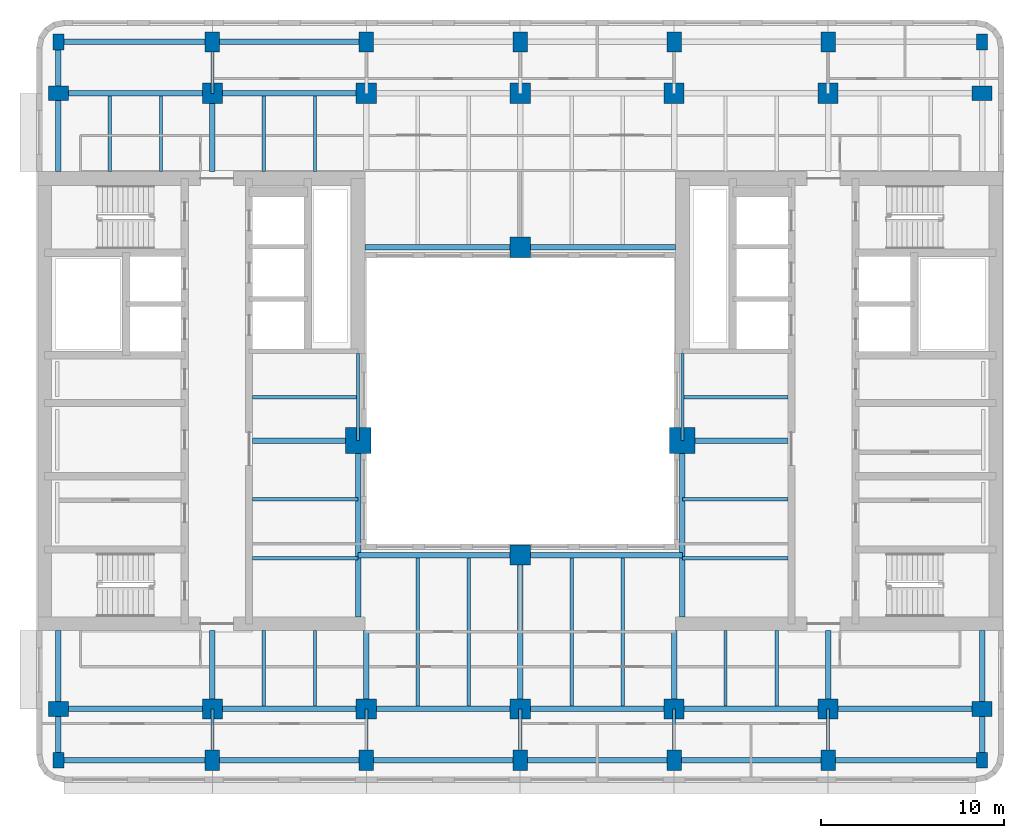
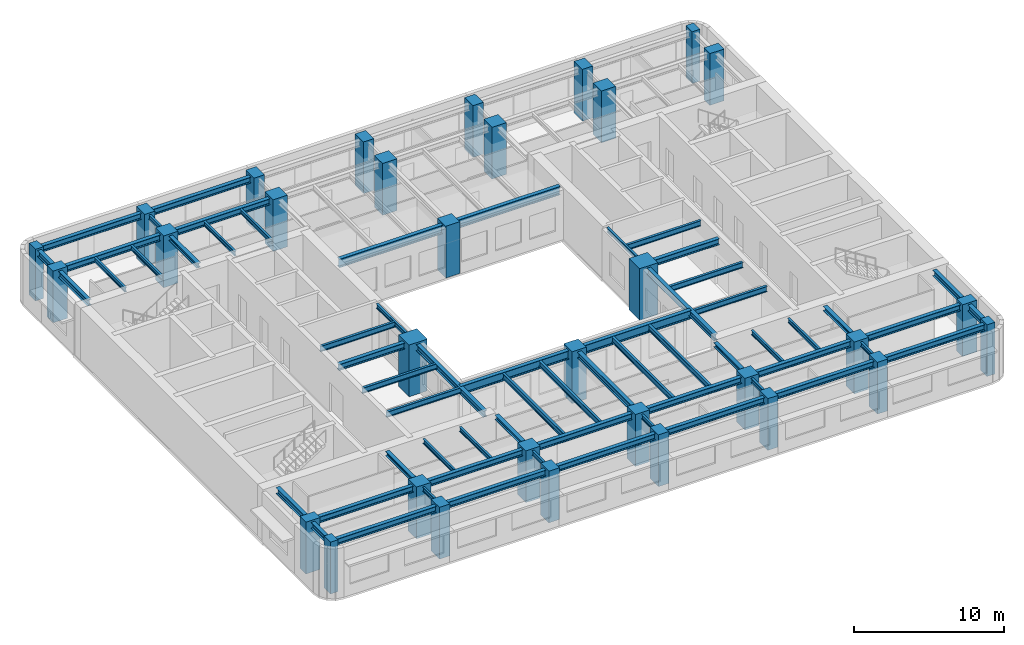
# One storey, part 1 of 11: 62 beams, 32 columns.
"""IFC4 building model written with IfcOpenShell, lengths in metres."""

from ifc_helpers import new_model, si_unit, direction, frame, origin, origin_2d, place, context, subcontext, project, spatial, rectangle, i_section, extrude, material, material_profile, profile_set, type_object, element, save


model = new_model("IFC4")

# Units and contexts
model_context = context("Model", 3, precision=1e-05, world=origin(), true_north=direction((0.0, 1.0)))
body_context = subcontext(model_context, "Body", "Model", "MODEL_VIEW")
ifc_project = project(units=[si_unit("LENGTHUNIT", "METRE"), si_unit("AREAUNIT", "SQUARE_METRE"), si_unit("VOLUMEUNIT", "CUBIC_METRE"), si_unit("PLANEANGLEUNIT", "RADIAN"), si_unit("MASSUNIT", "GRAM", prefix="KILO")], contexts=[model_context])

# Site, building, storey
site_placement = place(None, origin())
site = spatial("IfcSite", under=ifc_project, at=site_placement, CompositionType="ELEMENT")
building_placement = place(site_placement, origin())
building = spatial("IfcBuilding", under=site, at=building_placement, Name="Claustro Exchange Tower", CompositionType="ELEMENT")
storey_placement = place(building_placement, frame((0.0, 0.0, 228.0)))
storey = spatial("IfcBuildingStorey", under=building, at=storey_placement, Name="L52", CompositionType="ELEMENT", Elevation=228.0)

# Columns
ifc_material_1 = material(Name="Concrete HA-70 (C70/85)", Category="concrete")
ifc_material_profile_1 = material_profile(ifc_material_1, rectangle(XDim=1.39990234375, YDim=1.39990234375, at=origin_2d()), Name="RC 1400x1400")
ifc_profile_set_1 = profile_set([ifc_material_profile_1], Name="Concrete HA-70 (C70/85)")
column_type_1 = type_object("IfcColumnType", Name="C0 RC 1400x1400 HA-70 column", PredefinedType="COLUMN", material=ifc_profile_set_1)
for number, where, z_axis, x_axis, name in (
    (1, (16.35009765625, 23.050048828125, 0.0), (0.0, 0.0, 1.0), (1.0, 0.0, 0.0), "Column C0 2+7950/C+6250 L52"),
    (2, (34.050048828125, 23.050048828125, 0.0), (0.0, 0.0, 1.0), (1.0, 0.0, 0.0), "Column C0 5+450/C+6250 L52"),
):
    element("IfcColumn", number, at=place(storey_placement, frame(where, z_axis=z_axis, x_axis=x_axis)), inside=storey, type_object=column_type_1, Name=name, PredefinedType="COLUMN", context=body_context, shape_type="SweptSolid", body=[
        extrude(rectangle(XDim=1.39990234375, YDim=1.39990234375, at=origin_2d()), origin(), (0.0, 0.0, 1.0), 4.199951171875),
    ])
ifc_material_2 = material(Name="Concrete HA-70 (C70/85)", Category="concrete")
ifc_material_profile_2 = material_profile(ifc_material_2, rectangle(XDim=1.10009765625, YDim=1.10009765625, at=origin_2d()), Name="RC 1100x1100")
ifc_profile_set_2 = profile_set([ifc_material_profile_2], Name="Concrete HA-70 (C70/85)")
column_type_2 = type_object("IfcColumnType", Name="C17 RC 1100x1100 HA-70 column", PredefinedType="COLUMN", material=ifc_profile_set_2)
for number, where, z_axis, x_axis, name in (
    (3, (8.39990234375, 8.39990234375, 0.0), (0.0, 0.0, 1.0), (1.0, 0.0, 0.0), "Column C17 2/B L52"),
    (4, (8.39990234375, 42.0, 0.0), (0.0, 0.0, 1.0), (1.0, 0.0, 0.0), "Column C17 2/F L52"),
    (5, (16.800048828125, 8.39990234375, 0.0), (0.0, 0.0, 1.0), (1.0, 0.0, 0.0), "Column C17 3/B L52"),
    (6, (16.800048828125, 42.0, 0.0), (0.0, 0.0, 1.0), (1.0, 0.0, 0.0), "Column C17 3/F L52"),
    (7, (25.199951171875, 8.39990234375, 0.0), (0.0, 0.0, 1.0), (1.0, 0.0, 0.0), "Column C17 4/B L52"),
    (8, (25.199951171875, 42.0, 0.0), (0.0, 0.0, 1.0), (1.0, 0.0, 0.0), "Column C17 4/F L52"),
    (9, (25.199951171875, 16.800048828125, 0.0), (0.0, 0.0, 1.0), (1.0, 0.0, 0.0), "Column C17 4/C L52"),
    (10, (25.199951171875, 33.60009765625, 0.0), (0.0, 0.0, 1.0), (1.0, 0.0, 0.0), "Column C17 4/E L52"),
    (11, (33.60009765625, 8.39990234375, 0.0), (0.0, 0.0, 1.0), (1.0, 0.0, 0.0), "Column C17 5/B L52"),
    (12, (33.60009765625, 42.0, 0.0), (0.0, 0.0, 1.0), (1.0, 0.0, 0.0), "Column C17 5/F L52"),
    (13, (42.0, 8.39990234375, 0.0), (0.0, 0.0, 1.0), (1.0, 0.0, 0.0), "Column C17 6/B L52"),
    (14, (42.0, 42.0, 0.0), (0.0, 0.0, 1.0), (1.0, 0.0, 0.0), "Column C17 6/F L52"),
):
    element("IfcColumn", number, at=place(storey_placement, frame(where, z_axis=z_axis, x_axis=x_axis)), inside=storey, type_object=column_type_2, Name=name, PredefinedType="COLUMN", context=body_context, shape_type="SweptSolid", body=[
        extrude(rectangle(XDim=1.10009765625, YDim=1.10009765625, at=origin_2d()), origin(), (0.0, 0.0, 1.0), 4.199951171875),
    ])
ifc_material_3 = material(Name="Concrete HA-50 (C50/60)", Category="concrete")
ifc_material_profile_3 = material_profile(ifc_material_3, rectangle(XDim=0.800048828125, YDim=1.10009765625, at=origin_2d()), Name="RC 800x1100")
ifc_profile_set_3 = profile_set([ifc_material_profile_3], Name="Concrete HA-50 (C50/60)")
column_type_3 = type_object("IfcColumnType", Name="C23 RC 800x1100 HA-50 perimeter column", PredefinedType="COLUMN", material=ifc_profile_set_3)
for number, where, z_axis, x_axis, name in (
    (15, (0.0, 8.39990234375, 0.0), (0.0, 0.0, 1.0), (0.0, 1.0, 0.0), "Column C23 1/B L52"),
    (16, (0.0, 42.0, 0.0), (0.0, 0.0, 1.0), (0.0, 1.0, 0.0), "Column C23 1/F L52"),
    (17, (8.39990234375, 5.60009765625, 0.0), (0.0, 0.0, 1.0), (1.0, 0.0, 0.0), "Column C23 2/A+5600 L52"),
    (18, (8.39990234375, 44.800048828125, 0.0), (0.0, 0.0, 1.0), (1.0, 0.0, 0.0), "Column C23 2/F+2800 L52"),
    (19, (16.800048828125, 5.60009765625, 0.0), (0.0, 0.0, 1.0), (1.0, 0.0, 0.0), "Column C23 3/A+5600 L52"),
    (20, (16.800048828125, 44.800048828125, 0.0), (0.0, 0.0, 1.0), (1.0, 0.0, 0.0), "Column C23 3/F+2800 L52"),
    (21, (25.199951171875, 5.60009765625, 0.0), (0.0, 0.0, 1.0), (1.0, 0.0, 0.0), "Column C23 4/A+5600 L52"),
    (22, (25.199951171875, 44.800048828125, 0.0), (0.0, 0.0, 1.0), (1.0, 0.0, 0.0), "Column C23 4/F+2800 L52"),
    (23, (33.60009765625, 5.60009765625, 0.0), (0.0, 0.0, 1.0), (1.0, 0.0, 0.0), "Column C23 5/A+5600 L52"),
    (24, (33.60009765625, 44.800048828125, 0.0), (0.0, 0.0, 1.0), (1.0, 0.0, 0.0), "Column C23 5/F+2800 L52"),
    (25, (42.0, 5.60009765625, 0.0), (0.0, 0.0, 1.0), (1.0, 0.0, 0.0), "Column C23 6/A+5600 L52"),
    (26, (42.0, 44.800048828125, 0.0), (0.0, 0.0, 1.0), (1.0, 0.0, 0.0), "Column C23 6/F+2800 L52"),
    (27, (50.39990234375, 8.39990234375, 0.0), (0.0, 0.0, 1.0), (0.0, 1.0, 0.0), "Column C23 7/B L52"),
    (28, (50.39990234375, 42.0, 0.0), (0.0, 0.0, 1.0), (0.0, 1.0, 0.0), "Column C23 7/F L52"),
):
    element("IfcColumn", number, at=place(storey_placement, frame(where, z_axis=z_axis, x_axis=x_axis)), inside=storey, type_object=column_type_3, Name=name, PredefinedType="COLUMN", context=body_context, shape_type="SweptSolid", body=[
        extrude(rectangle(XDim=0.800048828125, YDim=1.10009765625, at=origin_2d()), origin(), (0.0, 0.0, 1.0), 4.199951171875),
    ])
ifc_material_4 = material(Name="Concrete HA-50 (C50/60)", Category="concrete")
ifc_material_profile_4 = material_profile(ifc_material_4, rectangle(XDim=0.60009765625, YDim=0.85009765625, at=origin_2d()), Name="RC 600x850")
ifc_profile_set_4 = profile_set([ifc_material_profile_4], Name="Concrete HA-50 (C50/60)")
column_type_4 = type_object("IfcColumnType", Name="C25 RC 600x850 HA-50 corner column", PredefinedType="COLUMN", material=ifc_profile_set_4)
for number, where, z_axis, x_axis, name in (
    (29, (0.0, 5.60009765625, 0.0), (0.0, 0.0, 1.0), (1.0, 0.0, 0.0), "Column C25 1/A+5600 L52"),
    (30, (0.0, 44.800048828125, 0.0), (0.0, 0.0, 1.0), (1.0, 0.0, 0.0), "Column C25 1/F+2800 L52"),
    (31, (50.39990234375, 5.60009765625, 0.0), (0.0, 0.0, 1.0), (1.0, 0.0, 0.0), "Column C25 7/A+5600 L52"),
    (32, (50.39990234375, 44.800048828125, 0.0), (0.0, 0.0, 1.0), (1.0, 0.0, 0.0), "Column C25 7/F+2800 L52"),
):
    element("IfcColumn", number, at=place(storey_placement, frame(where, z_axis=z_axis, x_axis=x_axis)), inside=storey, type_object=column_type_4, Name=name, PredefinedType="COLUMN", context=body_context, shape_type="SweptSolid", body=[
        extrude(rectangle(XDim=0.60009765625, YDim=0.85009765625, at=origin_2d()), origin(), (0.0, 0.0, 1.0), 4.199951171875),
    ])

# Beams
ifc_material_5 = material(Name="Steel S355", Category="steel")
ifc_material_profile_5 = material_profile(ifc_material_5, i_section(OverallWidth=0.300048828125, OverallDepth=0.68994140625, WebThickness=0.014404296875, FlangeThickness=0.027099609375, FilletRadius=0.027099609375, at=origin_2d()), Name="HE 700 A")
ifc_profile_set_5 = profile_set([ifc_material_profile_5], Name="Steel S355")
beam_type_1 = type_object("IfcBeamType", Name="B13 HE 700 A light well edge girder", PredefinedType="BEAM", material=ifc_profile_set_5)
beam_1_placement = place(storey_placement, frame((16.35009765625, 16.800048828125, 3.705078125), z_axis=(1.0, 0.0, 0.0), x_axis=(0.0, 1.0, 0.0)))
element("IfcBeam", 33, at=beam_1_placement, inside=storey, type_object=beam_type_1, Name="Beam B13 L53", PredefinedType="BEAM", context=body_context, shape_type="SweptSolid", body=[
    extrude(i_section(OverallWidth=0.300048828125, OverallDepth=0.68994140625, WebThickness=0.014404296875, FlangeThickness=0.027099609375, FilletRadius=0.027099609375, at=origin_2d()), origin(), (0.0, 0.0, 1.0), 8.849853515625),
])
beam_2_placement = place(storey_placement, frame((25.199951171875, 16.800048828125, 3.705078125), z_axis=(1.0, 0.0, 0.0), x_axis=(0.0, 1.0, 0.0)))
element("IfcBeam", 34, at=beam_2_placement, inside=storey, type_object=beam_type_1, Name="Beam B13 L53", PredefinedType="BEAM", context=body_context, shape_type="SweptSolid", body=[
    extrude(i_section(OverallWidth=0.300048828125, OverallDepth=0.68994140625, WebThickness=0.014404296875, FlangeThickness=0.027099609375, FilletRadius=0.027099609375, at=origin_2d()), origin(), (0.0, 0.0, 1.0), 8.85009765625),
])
beam_3_placement = place(storey_placement, frame((16.72509765625, 33.60009765625, 3.705078125), z_axis=(1.0, 0.0, 0.0), x_axis=(0.0, 1.0, 0.0)))
element("IfcBeam", 35, at=beam_3_placement, inside=storey, type_object=beam_type_1, Name="Beam B13 L53", PredefinedType="BEAM", context=body_context, shape_type="SweptSolid", body=[
    extrude(i_section(OverallWidth=0.300048828125, OverallDepth=0.68994140625, WebThickness=0.014404296875, FlangeThickness=0.027099609375, FilletRadius=0.027099609375, at=origin_2d()), origin(), (0.0, 0.0, 1.0), 8.474853515625),
])
beam_4_placement = place(storey_placement, frame((25.199951171875, 33.60009765625, 3.705078125), z_axis=(1.0, 0.0, 0.0), x_axis=(0.0, 1.0, 0.0)))
element("IfcBeam", 36, at=beam_4_placement, inside=storey, type_object=beam_type_1, Name="Beam B13 L53", PredefinedType="BEAM", context=body_context, shape_type="SweptSolid", body=[
    extrude(i_section(OverallWidth=0.300048828125, OverallDepth=0.68994140625, WebThickness=0.014404296875, FlangeThickness=0.027099609375, FilletRadius=0.027099609375, at=origin_2d()), origin(), (0.0, 0.0, 1.0), 8.47509765625),
])
ifc_material_6 = material(Name="Steel S355", Category="steel")
ifc_material_profile_6 = material_profile(ifc_material_6, i_section(OverallWidth=0.169921875, OverallDepth=0.360107421875, WebThickness=0.008056640625, FlangeThickness=0.0126953125, FilletRadius=0.01806640625, at=origin_2d()), Name="IPE 360")
ifc_profile_set_6 = profile_set([ifc_material_profile_6], Name="Steel S355")
beam_type_2 = type_object("IfcBeamType", Name="B16 IPE 360 short-span beam", PredefinedType="BEAM", material=ifc_profile_set_6)
beam_5_placement = place(storey_placement, frame((8.39990234375, 5.60009765625, 3.8701171875), z_axis=(0.0, 1.0, 0.0), x_axis=(-1.0, 0.0, 0.0)))
element("IfcBeam", 37, at=beam_5_placement, inside=storey, type_object=beam_type_2, Name="Beam B16 L53", PredefinedType="BEAM", context=body_context, shape_type="SweptSolid", body=[
    extrude(i_section(OverallWidth=0.169921875, OverallDepth=0.360107421875, WebThickness=0.008056640625, FlangeThickness=0.0126953125, FilletRadius=0.01806640625, at=origin_2d()), origin(), (0.0, 0.0, 1.0), 2.7998046875),
])
beam_6_placement = place(storey_placement, frame((8.39990234375, 42.0, 3.8701171875), z_axis=(0.0, 1.0, 0.0), x_axis=(-1.0, 0.0, 0.0)))
element("IfcBeam", 38, at=beam_6_placement, inside=storey, type_object=beam_type_2, Name="Beam B16 L53", PredefinedType="BEAM", context=body_context, shape_type="SweptSolid", body=[
    extrude(i_section(OverallWidth=0.169921875, OverallDepth=0.360107421875, WebThickness=0.008056640625, FlangeThickness=0.0126953125, FilletRadius=0.01806640625, at=origin_2d()), origin(), (0.0, 0.0, 1.0), 2.800048828125),
])
for number, where, z_axis, x_axis, name in (
    (39, (16.800048828125, 5.60009765625, 3.8701171875), (0.0, 1.0, 0.0), (-1.0, 0.0, 0.0), "Beam B16 L53"),
    (40, (25.199951171875, 5.60009765625, 3.8701171875), (0.0, 1.0, 0.0), (-1.0, 0.0, 0.0), "Beam B16 L53"),
    (41, (33.60009765625, 5.60009765625, 3.8701171875), (0.0, 1.0, 0.0), (-1.0, 0.0, 0.0), "Beam B16 L53"),
    (42, (42.0, 5.60009765625, 3.8701171875), (0.0, 1.0, 0.0), (-1.0, 0.0, 0.0), "Beam B16 L53"),
):
    element("IfcBeam", number, at=place(storey_placement, frame(where, z_axis=z_axis, x_axis=x_axis)), inside=storey, type_object=beam_type_2, Name=name, PredefinedType="BEAM", context=body_context, shape_type="SweptSolid", body=[
        extrude(i_section(OverallWidth=0.169921875, OverallDepth=0.360107421875, WebThickness=0.008056640625, FlangeThickness=0.0126953125, FilletRadius=0.01806640625, at=origin_2d()), origin(), (0.0, 0.0, 1.0), 2.7998046875),
    ])
for number, where, z_axis, x_axis, name in (
    (43, (2.800048828125, 37.72509765625, 3.8701171875), (0.0, 1.0, 0.0), (-1.0, 0.0, 0.0), "Beam B16 L53"),
    (44, (5.60009765625, 37.72509765625, 3.8701171875), (0.0, 1.0, 0.0), (-1.0, 0.0, 0.0), "Beam B16 L53"),
    (45, (11.199951171875, 8.550048828125, 3.8701171875), (0.0, 1.0, 0.0), (-1.0, 0.0, 0.0), "Beam B16 L53"),
    (46, (14.0, 8.550048828125, 3.8701171875), (0.0, 1.0, 0.0), (-1.0, 0.0, 0.0), "Beam B16 L53"),
    (47, (11.199951171875, 37.72509765625, 3.8701171875), (0.0, 1.0, 0.0), (-1.0, 0.0, 0.0), "Beam B16 L53"),
    (48, (14.0, 37.72509765625, 3.8701171875), (0.0, 1.0, 0.0), (-1.0, 0.0, 0.0), "Beam B16 L53"),
    (49, (36.39990234375, 8.550048828125, 3.8701171875), (0.0, 1.0, 0.0), (-1.0, 0.0, 0.0), "Beam B16 L53"),
    (50, (39.199951171875, 8.550048828125, 3.8701171875), (0.0, 1.0, 0.0), (-1.0, 0.0, 0.0), "Beam B16 L53"),
):
    element("IfcBeam", number, at=place(storey_placement, frame(where, z_axis=z_axis, x_axis=x_axis)), inside=storey, type_object=beam_type_2, Name=name, PredefinedType="BEAM", context=body_context, shape_type="SweptSolid", body=[
        extrude(i_section(OverallWidth=0.169921875, OverallDepth=0.360107421875, WebThickness=0.008056640625, FlangeThickness=0.0126953125, FilletRadius=0.01806640625, at=origin_2d()), origin(), (0.0, 0.0, 1.0), 4.125),
    ])
for number, where, z_axis, x_axis, name in (
    (51, (16.35009765625, 23.050048828125, 3.8701171875), (0.0, 1.0, 0.0), (-1.0, 0.0, 0.0), "Beam B16 core step framing L53"),
    (52, (34.050048828125, 23.050048828125, 3.8701171875), (0.0, 1.0, 0.0), (-1.0, 0.0, 0.0), "Beam B16 core step framing L53"),
):
    element("IfcBeam", number, at=place(storey_placement, frame(where, z_axis=z_axis, x_axis=x_axis)), inside=storey, type_object=beam_type_2, Name=name, PredefinedType="BEAM", context=body_context, shape_type="SweptSolid", body=[
        extrude(i_section(OverallWidth=0.169921875, OverallDepth=0.360107421875, WebThickness=0.008056640625, FlangeThickness=0.0126953125, FilletRadius=0.01806640625, at=origin_2d()), origin(), (0.0, 0.0, 1.0), 4.75),
    ])
ifc_material_7 = material(Name="Steel S355", Category="steel")
ifc_material_profile_7 = material_profile(ifc_material_7, i_section(OverallWidth=0.300048828125, OverallDepth=0.360107421875, WebThickness=0.012451171875, FlangeThickness=0.0224609375, FilletRadius=0.027099609375, at=origin_2d()), Name="HE 360 B")
ifc_profile_set_7 = profile_set([ifc_material_profile_7], Name="Steel S355")
beam_type_3 = type_object("IfcBeamType", Name="B29 HE 360 B column to core link beam", PredefinedType="BEAM", material=ifc_profile_set_7)
beam_7_placement = place(storey_placement, frame((8.39990234375, 8.39990234375, 3.8701171875), z_axis=(0.0, 1.0, 0.0), x_axis=(-1.0, 0.0, 0.0)))
element("IfcBeam", 53, at=beam_7_placement, inside=storey, type_object=beam_type_3, Name="Beam B29 L53", PredefinedType="BEAM", context=body_context, shape_type="SweptSolid", body=[
    extrude(i_section(OverallWidth=0.300048828125, OverallDepth=0.360107421875, WebThickness=0.012451171875, FlangeThickness=0.0224609375, FilletRadius=0.027099609375, at=origin_2d()), origin(), (0.0, 0.0, 1.0), 4.275146484375),
])
beam_8_placement = place(storey_placement, frame((8.39990234375, 37.72509765625, 3.8701171875), z_axis=(0.0, 1.0, 0.0), x_axis=(-1.0, 0.0, 0.0)))
element("IfcBeam", 54, at=beam_8_placement, inside=storey, type_object=beam_type_3, Name="Beam B29 L53", PredefinedType="BEAM", context=body_context, shape_type="SweptSolid", body=[
    extrude(i_section(OverallWidth=0.300048828125, OverallDepth=0.360107421875, WebThickness=0.012451171875, FlangeThickness=0.0224609375, FilletRadius=0.027099609375, at=origin_2d()), origin(), (0.0, 0.0, 1.0), 4.27490234375),
])
for number, where, z_axis, x_axis, name in (
    (55, (16.800048828125, 8.39990234375, 3.8701171875), (0.0, 1.0, 0.0), (-1.0, 0.0, 0.0), "Beam B29 L53"),
    (56, (33.60009765625, 8.39990234375, 3.8701171875), (0.0, 1.0, 0.0), (-1.0, 0.0, 0.0), "Beam B29 L53"),
    (57, (42.0, 8.39990234375, 3.8701171875), (0.0, 1.0, 0.0), (-1.0, 0.0, 0.0), "Beam B29 L53"),
):
    element("IfcBeam", number, at=place(storey_placement, frame(where, z_axis=z_axis, x_axis=x_axis)), inside=storey, type_object=beam_type_3, Name=name, PredefinedType="BEAM", context=body_context, shape_type="SweptSolid", body=[
        extrude(i_section(OverallWidth=0.300048828125, OverallDepth=0.360107421875, WebThickness=0.012451171875, FlangeThickness=0.0224609375, FilletRadius=0.027099609375, at=origin_2d()), origin(), (0.0, 0.0, 1.0), 4.275146484375),
    ])
ifc_material_8 = material(Name="Steel S355", Category="steel")
ifc_material_profile_8 = material_profile(ifc_material_8, i_section(OverallWidth=0.300048828125, OverallDepth=0.5, WebThickness=0.014404296875, FlangeThickness=0.028076171875, FilletRadius=0.027099609375, at=origin_2d()), Name="HE 500 B")
ifc_profile_set_8 = profile_set([ifc_material_profile_8], Name="Steel S355")
beam_type_4 = type_object("IfcBeamType", Name="B7 HE 500 B floor girder", PredefinedType="BEAM", material=ifc_profile_set_8)
beam_9_placement = place(storey_placement, frame((25.199951171875, 8.39990234375, 3.800048828125), z_axis=(0.0, 1.0, 0.0), x_axis=(-1.0, 0.0, 0.0)))
element("IfcBeam", 58, at=beam_9_placement, inside=storey, type_object=beam_type_4, Name="Beam B7 L53", PredefinedType="BEAM", context=body_context, shape_type="SweptSolid", body=[
    extrude(i_section(OverallWidth=0.300048828125, OverallDepth=0.5, WebThickness=0.014404296875, FlangeThickness=0.028076171875, FilletRadius=0.027099609375, at=origin_2d()), origin(), (0.0, 0.0, 1.0), 8.400146484375),
])
beam_10_placement = place(storey_placement, frame((0.0, 8.39990234375, 3.800048828125), z_axis=(1.0, 0.0, 0.0), x_axis=(0.0, 1.0, 0.0)))
element("IfcBeam", 59, at=beam_10_placement, inside=storey, type_object=beam_type_4, Name="Beam B7 L53", PredefinedType="BEAM", context=body_context, shape_type="SweptSolid", body=[
    extrude(i_section(OverallWidth=0.300048828125, OverallDepth=0.5, WebThickness=0.014404296875, FlangeThickness=0.028076171875, FilletRadius=0.027099609375, at=origin_2d()), origin(), (0.0, 0.0, 1.0), 8.39990234375),
])
beam_11_placement = place(storey_placement, frame((8.39990234375, 8.39990234375, 3.800048828125), z_axis=(1.0, 0.0, 0.0), x_axis=(0.0, 1.0, 0.0)))
element("IfcBeam", 60, at=beam_11_placement, inside=storey, type_object=beam_type_4, Name="Beam B7 L53", PredefinedType="BEAM", context=body_context, shape_type="SweptSolid", body=[
    extrude(i_section(OverallWidth=0.300048828125, OverallDepth=0.5, WebThickness=0.014404296875, FlangeThickness=0.028076171875, FilletRadius=0.027099609375, at=origin_2d()), origin(), (0.0, 0.0, 1.0), 8.400146484375),
])
beam_12_placement = place(storey_placement, frame((16.800048828125, 8.39990234375, 3.800048828125), z_axis=(1.0, 0.0, 0.0), x_axis=(0.0, 1.0, 0.0)))
element("IfcBeam", 61, at=beam_12_placement, inside=storey, type_object=beam_type_4, Name="Beam B7 L53", PredefinedType="BEAM", context=body_context, shape_type="SweptSolid", body=[
    extrude(i_section(OverallWidth=0.300048828125, OverallDepth=0.5, WebThickness=0.014404296875, FlangeThickness=0.028076171875, FilletRadius=0.027099609375, at=origin_2d()), origin(), (0.0, 0.0, 1.0), 8.39990234375),
])
beam_13_placement = place(storey_placement, frame((25.199951171875, 8.39990234375, 3.800048828125), z_axis=(1.0, 0.0, 0.0), x_axis=(0.0, 1.0, 0.0)))
element("IfcBeam", 62, at=beam_13_placement, inside=storey, type_object=beam_type_4, Name="Beam B7 L53", PredefinedType="BEAM", context=body_context, shape_type="SweptSolid", body=[
    extrude(i_section(OverallWidth=0.300048828125, OverallDepth=0.5, WebThickness=0.014404296875, FlangeThickness=0.028076171875, FilletRadius=0.027099609375, at=origin_2d()), origin(), (0.0, 0.0, 1.0), 8.400146484375),
])
for number, where, z_axis, x_axis, name in (
    (63, (33.60009765625, 8.39990234375, 3.800048828125), (1.0, 0.0, 0.0), (0.0, 1.0, 0.0), "Beam B7 L53"),
    (64, (42.0, 8.39990234375, 3.800048828125), (1.0, 0.0, 0.0), (0.0, 1.0, 0.0), "Beam B7 L53"),
    (65, (0.0, 42.0, 3.800048828125), (1.0, 0.0, 0.0), (0.0, 1.0, 0.0), "Beam B7 L53"),
):
    element("IfcBeam", number, at=place(storey_placement, frame(where, z_axis=z_axis, x_axis=x_axis)), inside=storey, type_object=beam_type_4, Name=name, PredefinedType="BEAM", context=body_context, shape_type="SweptSolid", body=[
        extrude(i_section(OverallWidth=0.300048828125, OverallDepth=0.5, WebThickness=0.014404296875, FlangeThickness=0.028076171875, FilletRadius=0.027099609375, at=origin_2d()), origin(), (0.0, 0.0, 1.0), 8.39990234375),
    ])
beam_14_placement = place(storey_placement, frame((8.39990234375, 42.0, 3.800048828125), z_axis=(1.0, 0.0, 0.0), x_axis=(0.0, 1.0, 0.0)))
element("IfcBeam", 66, at=beam_14_placement, inside=storey, type_object=beam_type_4, Name="Beam B7 L53", PredefinedType="BEAM", context=body_context, shape_type="SweptSolid", body=[
    extrude(i_section(OverallWidth=0.300048828125, OverallDepth=0.5, WebThickness=0.014404296875, FlangeThickness=0.028076171875, FilletRadius=0.027099609375, at=origin_2d()), origin(), (0.0, 0.0, 1.0), 8.400146484375),
])
beam_15_placement = place(storey_placement, frame((10.60009765625, 23.050048828125, 3.800048828125), z_axis=(1.0, 0.0, 0.0), x_axis=(0.0, 1.0, 0.0)))
element("IfcBeam", 67, at=beam_15_placement, inside=storey, type_object=beam_type_4, Name="Beam B7 core step framing L53", PredefinedType="BEAM", context=body_context, shape_type="SweptSolid", body=[
    extrude(i_section(OverallWidth=0.300048828125, OverallDepth=0.5, WebThickness=0.014404296875, FlangeThickness=0.028076171875, FilletRadius=0.027099609375, at=origin_2d()), origin(), (0.0, 0.0, 1.0), 5.75),
])
beam_16_placement = place(storey_placement, frame((16.35009765625, 13.425048828125, 3.800048828125), z_axis=(0.0, 1.0, 0.0), x_axis=(-1.0, 0.0, 0.0)))
element("IfcBeam", 68, at=beam_16_placement, inside=storey, type_object=beam_type_4, Name="Beam B7 core step framing L53", PredefinedType="BEAM", context=body_context, shape_type="SweptSolid", body=[
    extrude(i_section(OverallWidth=0.300048828125, OverallDepth=0.5, WebThickness=0.014404296875, FlangeThickness=0.028076171875, FilletRadius=0.027099609375, at=origin_2d()), origin(), (0.0, 0.0, 1.0), 9.625),
])
beam_17_placement = place(storey_placement, frame((34.050048828125, 23.050048828125, 3.800048828125), z_axis=(1.0, 0.0, 0.0), x_axis=(0.0, 1.0, 0.0)))
element("IfcBeam", 69, at=beam_17_placement, inside=storey, type_object=beam_type_4, Name="Beam B7 core step framing L53", PredefinedType="BEAM", context=body_context, shape_type="SweptSolid", body=[
    extrude(i_section(OverallWidth=0.300048828125, OverallDepth=0.5, WebThickness=0.014404296875, FlangeThickness=0.028076171875, FilletRadius=0.027099609375, at=origin_2d()), origin(), (0.0, 0.0, 1.0), 5.75),
])
beam_18_placement = place(storey_placement, frame((34.050048828125, 13.425048828125, 3.800048828125), z_axis=(0.0, 1.0, 0.0), x_axis=(-1.0, 0.0, 0.0)))
element("IfcBeam", 70, at=beam_18_placement, inside=storey, type_object=beam_type_4, Name="Beam B7 core step framing L53", PredefinedType="BEAM", context=body_context, shape_type="SweptSolid", body=[
    extrude(i_section(OverallWidth=0.300048828125, OverallDepth=0.5, WebThickness=0.014404296875, FlangeThickness=0.028076171875, FilletRadius=0.027099609375, at=origin_2d()), origin(), (0.0, 0.0, 1.0), 9.625),
])
ifc_material_9 = material(Name="Steel S355", Category="steel")
ifc_material_profile_9 = material_profile(ifc_material_9, i_section(OverallWidth=0.18994140625, OverallDepth=0.449951171875, WebThickness=0.009521484375, FlangeThickness=0.0146484375, FilletRadius=0.02099609375, at=origin_2d()), Name="IPE 450")
ifc_profile_set_9 = profile_set([ifc_material_profile_9], Name="Steel S355")
beam_type_5 = type_object("IfcBeamType", Name="B8 IPE 450 secondary beam", PredefinedType="BEAM", material=ifc_profile_set_9)
for number, where, z_axis, x_axis, name in (
    (71, (19.60009765625, 8.550048828125, 3.824951171875), (0.0, 1.0, 0.0), (-1.0, 0.0, 0.0), "Beam B8 L53"),
    (72, (22.39990234375, 8.550048828125, 3.824951171875), (0.0, 1.0, 0.0), (-1.0, 0.0, 0.0), "Beam B8 L53"),
    (73, (28.0, 8.550048828125, 3.824951171875), (0.0, 1.0, 0.0), (-1.0, 0.0, 0.0), "Beam B8 L53"),
    (74, (30.800048828125, 8.550048828125, 3.824951171875), (0.0, 1.0, 0.0), (-1.0, 0.0, 0.0), "Beam B8 L53"),
):
    element("IfcBeam", number, at=place(storey_placement, frame(where, z_axis=z_axis, x_axis=x_axis)), inside=storey, type_object=beam_type_5, Name=name, PredefinedType="BEAM", context=body_context, shape_type="SweptSolid", body=[
        extrude(i_section(OverallWidth=0.18994140625, OverallDepth=0.449951171875, WebThickness=0.009521484375, FlangeThickness=0.0146484375, FilletRadius=0.02099609375, at=origin_2d()), origin(), (0.0, 0.0, 1.0), 8.099853515625),
    ])
for number, where, z_axis, x_axis, name in (
    (75, (10.60009765625, 16.63330078125, 3.824951171875), (1.0, 0.0, 0.0), (0.0, 1.0, 0.0), "Beam B8 core step framing L53"),
    (76, (10.60009765625, 19.841796875, 3.824951171875), (1.0, 0.0, 0.0), (0.0, 1.0, 0.0), "Beam B8 core step framing L53"),
    (77, (10.60009765625, 25.425048828125, 3.824951171875), (1.0, 0.0, 0.0), (0.0, 1.0, 0.0), "Beam B8 core step framing L53"),
    (78, (34.050048828125, 16.63330078125, 3.824951171875), (1.0, 0.0, 0.0), (0.0, 1.0, 0.0), "Beam B8 core step framing L53"),
    (79, (34.050048828125, 19.841796875, 3.824951171875), (1.0, 0.0, 0.0), (0.0, 1.0, 0.0), "Beam B8 core step framing L53"),
    (80, (34.050048828125, 25.425048828125, 3.824951171875), (1.0, 0.0, 0.0), (0.0, 1.0, 0.0), "Beam B8 core step framing L53"),
):
    element("IfcBeam", number, at=place(storey_placement, frame(where, z_axis=z_axis, x_axis=x_axis)), inside=storey, type_object=beam_type_5, Name=name, PredefinedType="BEAM", context=body_context, shape_type="SweptSolid", body=[
        extrude(i_section(OverallWidth=0.18994140625, OverallDepth=0.449951171875, WebThickness=0.009521484375, FlangeThickness=0.0146484375, FilletRadius=0.02099609375, at=origin_2d()), origin(), (0.0, 0.0, 1.0), 5.75),
    ])
ifc_material_10 = material(Name="Steel S355", Category="steel")
ifc_material_profile_10 = material_profile(ifc_material_10, i_section(OverallWidth=0.300048828125, OverallDepth=0.489990234375, WebThickness=0.011962890625, FlangeThickness=0.02294921875, FilletRadius=0.027099609375, at=origin_2d()), Name="HE 500 A")
ifc_profile_set_10 = profile_set([ifc_material_profile_10], Name="Steel S355")
beam_type_6 = type_object("IfcBeamType", Name="B9 HE 500 A spandrel edge girder", PredefinedType="SPANDREL", material=ifc_profile_set_10)
beam_19_placement = place(storey_placement, frame((0.0, 5.60009765625, 3.804931640625), z_axis=(0.0, 1.0, 0.0), x_axis=(-1.0, 0.0, 0.0)))
element("IfcBeam", 81, at=beam_19_placement, inside=storey, type_object=beam_type_6, Name="Beam B9 L53", PredefinedType="SPANDREL", context=body_context, shape_type="SweptSolid", body=[
    extrude(i_section(OverallWidth=0.300048828125, OverallDepth=0.489990234375, WebThickness=0.011962890625, FlangeThickness=0.02294921875, FilletRadius=0.027099609375, at=origin_2d()), origin(), (0.0, 0.0, 1.0), 2.7998046875),
])
beam_20_placement = place(storey_placement, frame((0.0, 8.39990234375, 3.804931640625), z_axis=(0.0, 1.0, 0.0), x_axis=(-1.0, 0.0, 0.0)))
element("IfcBeam", 82, at=beam_20_placement, inside=storey, type_object=beam_type_6, Name="Beam B9 L53", PredefinedType="SPANDREL", context=body_context, shape_type="SweptSolid", body=[
    extrude(i_section(OverallWidth=0.300048828125, OverallDepth=0.489990234375, WebThickness=0.011962890625, FlangeThickness=0.02294921875, FilletRadius=0.027099609375, at=origin_2d()), origin(), (0.0, 0.0, 1.0), 4.275146484375),
])
beam_21_placement = place(storey_placement, frame((0.0, 37.72509765625, 3.804931640625), z_axis=(0.0, 1.0, 0.0), x_axis=(-1.0, 0.0, 0.0)))
element("IfcBeam", 83, at=beam_21_placement, inside=storey, type_object=beam_type_6, Name="Beam B9 L53", PredefinedType="SPANDREL", context=body_context, shape_type="SweptSolid", body=[
    extrude(i_section(OverallWidth=0.300048828125, OverallDepth=0.489990234375, WebThickness=0.011962890625, FlangeThickness=0.02294921875, FilletRadius=0.027099609375, at=origin_2d()), origin(), (0.0, 0.0, 1.0), 4.27490234375),
])
beam_22_placement = place(storey_placement, frame((0.0, 42.0, 3.804931640625), z_axis=(0.0, 1.0, 0.0), x_axis=(-1.0, 0.0, 0.0)))
element("IfcBeam", 84, at=beam_22_placement, inside=storey, type_object=beam_type_6, Name="Beam B9 L53", PredefinedType="SPANDREL", context=body_context, shape_type="SweptSolid", body=[
    extrude(i_section(OverallWidth=0.300048828125, OverallDepth=0.489990234375, WebThickness=0.011962890625, FlangeThickness=0.02294921875, FilletRadius=0.027099609375, at=origin_2d()), origin(), (0.0, 0.0, 1.0), 2.800048828125),
])
beam_23_placement = place(storey_placement, frame((50.39990234375, 5.60009765625, 3.804931640625), z_axis=(0.0, 1.0, 0.0), x_axis=(-1.0, 0.0, 0.0)))
element("IfcBeam", 85, at=beam_23_placement, inside=storey, type_object=beam_type_6, Name="Beam B9 L53", PredefinedType="SPANDREL", context=body_context, shape_type="SweptSolid", body=[
    extrude(i_section(OverallWidth=0.300048828125, OverallDepth=0.489990234375, WebThickness=0.011962890625, FlangeThickness=0.02294921875, FilletRadius=0.027099609375, at=origin_2d()), origin(), (0.0, 0.0, 1.0), 2.7998046875),
])
beam_24_placement = place(storey_placement, frame((50.39990234375, 8.39990234375, 3.804931640625), z_axis=(0.0, 1.0, 0.0), x_axis=(-1.0, 0.0, 0.0)))
element("IfcBeam", 86, at=beam_24_placement, inside=storey, type_object=beam_type_6, Name="Beam B9 L53", PredefinedType="SPANDREL", context=body_context, shape_type="SweptSolid", body=[
    extrude(i_section(OverallWidth=0.300048828125, OverallDepth=0.489990234375, WebThickness=0.011962890625, FlangeThickness=0.02294921875, FilletRadius=0.027099609375, at=origin_2d()), origin(), (0.0, 0.0, 1.0), 4.275146484375),
])
beam_25_placement = place(storey_placement, frame((0.0, 5.60009765625, 3.804931640625), z_axis=(1.0, 0.0, 0.0), x_axis=(0.0, 1.0, 0.0)))
element("IfcBeam", 87, at=beam_25_placement, inside=storey, type_object=beam_type_6, Name="Beam B9 L53", PredefinedType="SPANDREL", context=body_context, shape_type="SweptSolid", body=[
    extrude(i_section(OverallWidth=0.300048828125, OverallDepth=0.489990234375, WebThickness=0.011962890625, FlangeThickness=0.02294921875, FilletRadius=0.027099609375, at=origin_2d()), origin(), (0.0, 0.0, 1.0), 8.39990234375),
])
beam_26_placement = place(storey_placement, frame((8.39990234375, 5.60009765625, 3.804931640625), z_axis=(1.0, 0.0, 0.0), x_axis=(0.0, 1.0, 0.0)))
element("IfcBeam", 88, at=beam_26_placement, inside=storey, type_object=beam_type_6, Name="Beam B9 L53", PredefinedType="SPANDREL", context=body_context, shape_type="SweptSolid", body=[
    extrude(i_section(OverallWidth=0.300048828125, OverallDepth=0.489990234375, WebThickness=0.011962890625, FlangeThickness=0.02294921875, FilletRadius=0.027099609375, at=origin_2d()), origin(), (0.0, 0.0, 1.0), 8.400146484375),
])
beam_27_placement = place(storey_placement, frame((16.800048828125, 5.60009765625, 3.804931640625), z_axis=(1.0, 0.0, 0.0), x_axis=(0.0, 1.0, 0.0)))
element("IfcBeam", 89, at=beam_27_placement, inside=storey, type_object=beam_type_6, Name="Beam B9 L53", PredefinedType="SPANDREL", context=body_context, shape_type="SweptSolid", body=[
    extrude(i_section(OverallWidth=0.300048828125, OverallDepth=0.489990234375, WebThickness=0.011962890625, FlangeThickness=0.02294921875, FilletRadius=0.027099609375, at=origin_2d()), origin(), (0.0, 0.0, 1.0), 8.39990234375),
])
beam_28_placement = place(storey_placement, frame((25.199951171875, 5.60009765625, 3.804931640625), z_axis=(1.0, 0.0, 0.0), x_axis=(0.0, 1.0, 0.0)))
element("IfcBeam", 90, at=beam_28_placement, inside=storey, type_object=beam_type_6, Name="Beam B9 L53", PredefinedType="SPANDREL", context=body_context, shape_type="SweptSolid", body=[
    extrude(i_section(OverallWidth=0.300048828125, OverallDepth=0.489990234375, WebThickness=0.011962890625, FlangeThickness=0.02294921875, FilletRadius=0.027099609375, at=origin_2d()), origin(), (0.0, 0.0, 1.0), 8.400146484375),
])
for number, where, z_axis, x_axis, name in (
    (91, (33.60009765625, 5.60009765625, 3.804931640625), (1.0, 0.0, 0.0), (0.0, 1.0, 0.0), "Beam B9 L53"),
    (92, (42.0, 5.60009765625, 3.804931640625), (1.0, 0.0, 0.0), (0.0, 1.0, 0.0), "Beam B9 L53"),
    (93, (0.0, 44.800048828125, 3.804931640625), (1.0, 0.0, 0.0), (0.0, 1.0, 0.0), "Beam B9 L53"),
):
    element("IfcBeam", number, at=place(storey_placement, frame(where, z_axis=z_axis, x_axis=x_axis)), inside=storey, type_object=beam_type_6, Name=name, PredefinedType="SPANDREL", context=body_context, shape_type="SweptSolid", body=[
        extrude(i_section(OverallWidth=0.300048828125, OverallDepth=0.489990234375, WebThickness=0.011962890625, FlangeThickness=0.02294921875, FilletRadius=0.027099609375, at=origin_2d()), origin(), (0.0, 0.0, 1.0), 8.39990234375),
    ])
beam_29_placement = place(storey_placement, frame((8.39990234375, 44.800048828125, 3.804931640625), z_axis=(1.0, 0.0, 0.0), x_axis=(0.0, 1.0, 0.0)))
element("IfcBeam", 94, at=beam_29_placement, inside=storey, type_object=beam_type_6, Name="Beam B9 L53", PredefinedType="SPANDREL", context=body_context, shape_type="SweptSolid", body=[
    extrude(i_section(OverallWidth=0.300048828125, OverallDepth=0.489990234375, WebThickness=0.011962890625, FlangeThickness=0.02294921875, FilletRadius=0.027099609375, at=origin_2d()), origin(), (0.0, 0.0, 1.0), 8.400146484375),
])

save(model, "model.ifc")
